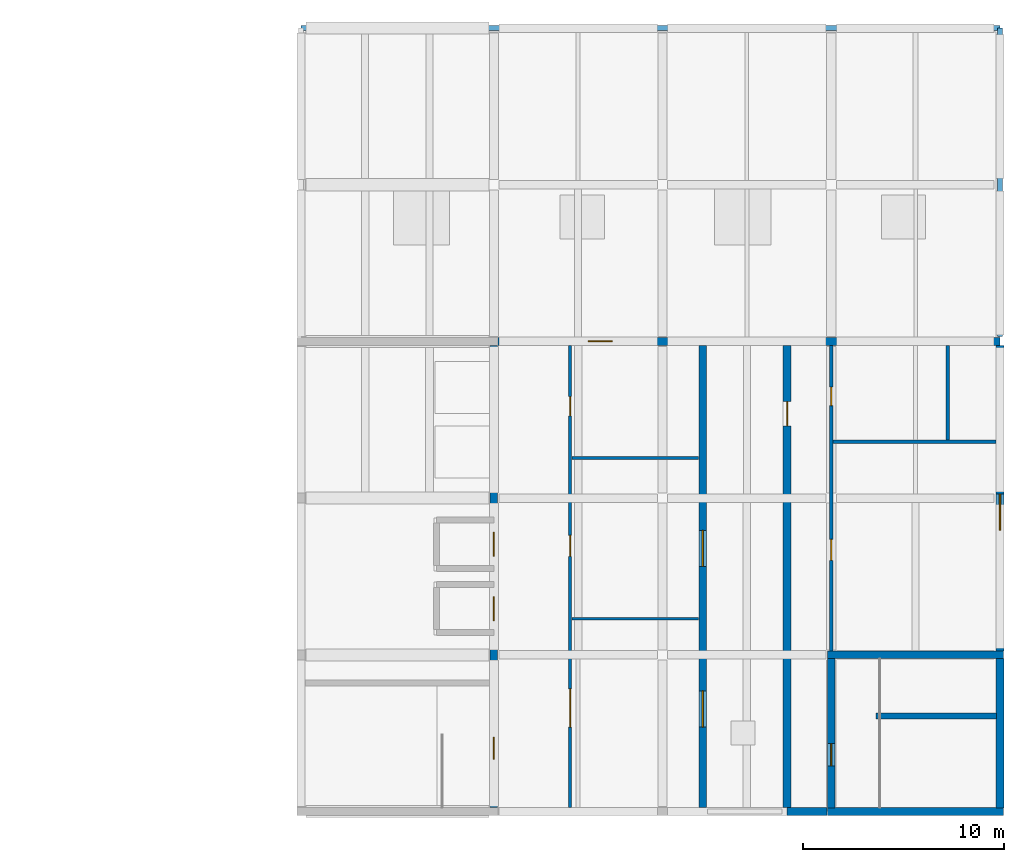
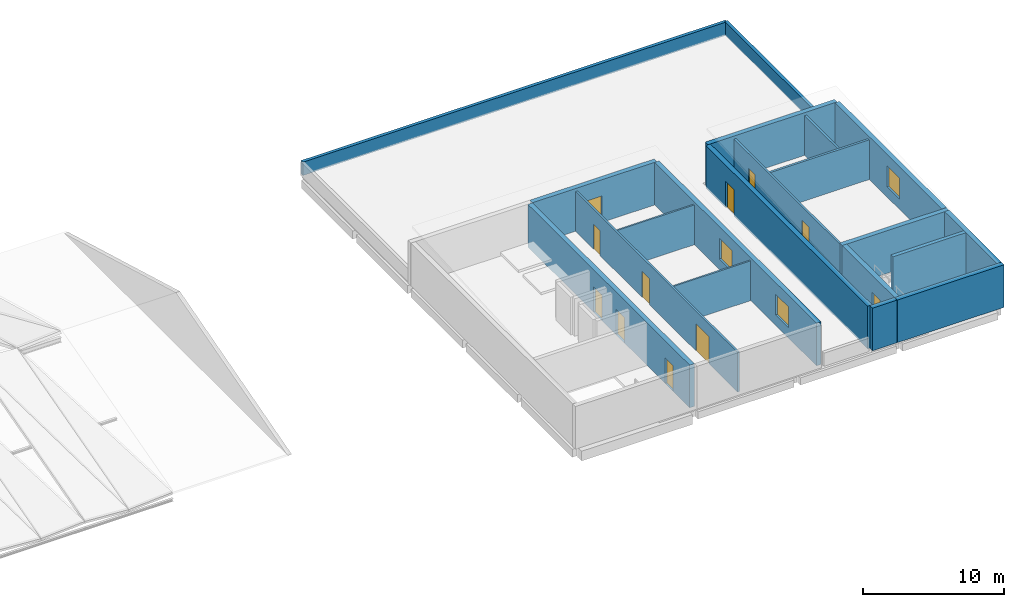
# One storey, part 4 of 6: 20 walls, 11 doors, 3 windows, 14 openings.
"""IFC4 building model written with IfcOpenShell, lengths in metres."""

import ifcopenshell
import ifcopenshell.guid

model = None  # the IFC model being written
_history = None  # IfcOwnerHistory: only IFC2X3 demands one
_inside = {}  # id of a spatial element -> (the spatial element, [elements in it])
_under = {}  # id of a project, library or spatial element -> (it, [spatial elements below it])
_declared = {}  # id of a project -> (the project, [libraries it declares])
_typed = {}  # id of a type object -> (the type object, [elements of that type])
_made_of = {}  # id of a material, layer set ... -> (it, [elements and type objects made of it])


def new_model(schema):
    """Start an empty IFC model of exactly this schema.

    Asked for "IFC4X3", IfcOpenShell would pick the latest addendum, in which some entities
    have other attributes; the version numbers below select the first issue.
    IFC2X3 requires an IfcOwnerHistory on every rooted entity: one is made here for all.
    """
    global model, _history
    if schema == "IFC4X3":
        model = ifcopenshell.file(schema_version=(4, 3, 0, 0))
    else:
        model = ifcopenshell.file(schema=schema)
    _inside.clear()
    _under.clear()
    _declared.clear()
    _typed.clear()
    _made_of.clear()
    _history = None
    if model.schema == "IFC2X3":
        org = make("IfcOrganization", Name="unknown")
        user = make(
            "IfcPersonAndOrganization",
            ThePerson=make("IfcPerson", FamilyName="unknown"),
            TheOrganization=org,
        )
        app = make(
            "IfcApplication",
            ApplicationDeveloper=org,
            Version="unknown",
            ApplicationFullName="unknown",
            ApplicationIdentifier="unknown",
        )
        _history = make(
            "IfcOwnerHistory",
            OwningUser=user,
            OwningApplication=app,
            ChangeAction="ADDED",
            CreationDate=0,
        )
    return model


def make(cls, **values):
    """One entity of the class cls with the attributes given. An attribute that is None is left unset."""
    return model.create_entity(
        cls, **{name: value for name, value in values.items() if value is not None}
    )


def rooted(cls, **values):
    """An entity with a GlobalId (a new one), such as an element, a storey or a relation."""
    return make(cls, GlobalId=ifcopenshell.guid.new(), OwnerHistory=_history, **values)


def si_unit(unit_type, name, prefix=None):
    """IfcSIUnit, for example si_unit("LENGTHUNIT", "METRE", prefix="MILLI")."""
    return make("IfcSIUnit", UnitType=unit_type, Prefix=prefix, Name=name)


def assignment(units):
    """IfcUnitAssignment: the units of a project."""
    return None if units is None else make("IfcUnitAssignment", Units=units)


def point(xyz):
    """IfcCartesianPoint."""
    return None if xyz is None else make("IfcCartesianPoint", Coordinates=xyz)


def direction(xyz):
    """IfcDirection."""
    return None if xyz is None else make("IfcDirection", DirectionRatios=xyz)


def frame(location, z_axis=None, x_axis=None):
    """IfcAxis2Placement3D, a coordinate frame: its origin and axes. An axis left out is left unset."""
    return make(
        "IfcAxis2Placement3D",
        Location=point(location),
        Axis=direction(z_axis),
        RefDirection=direction(x_axis),
    )


def frame_2d(location, x_axis=None):
    """IfcAxis2Placement2D, a coordinate frame in the plane: its origin and x axis."""
    return make(
        "IfcAxis2Placement2D", Location=point(location), RefDirection=direction(x_axis)
    )


def origin():
    """The frame at (0, 0, 0) with its axes left unset."""
    return frame((0.0, 0.0, 0.0))


def place(relative_to, where):
    """IfcLocalPlacement: puts the frame where relative to a parent placement (None: the world)."""
    return make(
        "IfcLocalPlacement", PlacementRelTo=relative_to, RelativePlacement=where
    )


def context(
    kind, dimensions, precision=None, world=None, true_north=None, identifier=None
):
    """IfcGeometricRepresentationContext, for example the 3D "Model" context."""
    return make(
        "IfcGeometricRepresentationContext",
        ContextIdentifier=identifier,
        ContextType=kind,
        CoordinateSpaceDimension=dimensions,
        Precision=precision,
        WorldCoordinateSystem=world,
        TrueNorth=true_north,
    )


def subcontext(parent, identifier, kind, view, scale=None):
    """IfcGeometricRepresentationSubContext, for example "Body" below "Model"."""
    return make(
        "IfcGeometricRepresentationSubContext",
        ContextIdentifier=identifier,
        ContextType=kind,
        ParentContext=parent,
        TargetScale=scale,
        TargetView=view,
    )


def project(units=None, contexts=None):
    """IfcProject with its units and contexts."""
    return rooted(
        "IfcProject",
        Name="project",
        RepresentationContexts=contexts,
        UnitsInContext=assignment(units),
    )


def spatial(cls, under=None, at=None, **own):
    """A site, building, storey or space (cls), placed at a placement, below another one or the project."""
    s = rooted(cls, ObjectPlacement=at, **own)
    if under is not None:
        _under.setdefault(under.id(), (under, []))[1].append(s)
    return s


def profile(cls, at=None, kind="AREA", **sizes):
    """A parametric profile (cls). Its sizes go by their IFC names, for example OverallWidth=200.0."""
    return make(cls, ProfileType=kind, Position=at, **sizes)


def rectangle(**sizes):
    """IfcRectangleProfileDef."""
    return profile("IfcRectangleProfileDef", **sizes)


def extrude(swept, where, along, depth):
    """IfcExtrudedAreaSolid: the profile swept, set in the frame where, extruded along a direction by depth."""
    return make(
        "IfcExtrudedAreaSolid",
        SweptArea=swept,
        Position=where,
        ExtrudedDirection=direction(along),
        Depth=depth,
    )


def shape(context_of_items, identifier, shape_type, items):
    """IfcShapeRepresentation: the items that make up one representation, for example the "Body"."""
    return make(
        "IfcShapeRepresentation",
        ContextOfItems=context_of_items,
        RepresentationIdentifier=identifier,
        RepresentationType=shape_type,
        Items=items,
    )


def material(Name=None, Category=None):
    """IfcMaterial."""
    return make("IfcMaterial", Name=Name, Category=Category)


def layer(
    of_material, thickness, ventilated=None, Name=None, Category=None, Priority=None
):
    """IfcMaterialLayer: one layer of a wall or slab, of a material (None: an air gap)."""
    return make(
        "IfcMaterialLayer",
        Material=of_material,
        LayerThickness=thickness,
        IsVentilated=ventilated,
        Name=Name,
        Category=Category,
        Priority=Priority,
    )


def layer_set(layers, Name=None):
    """IfcMaterialLayerSet."""
    return make("IfcMaterialLayerSet", MaterialLayers=layers, LayerSetName=Name)


def made_of(thing, what):
    """Note that an element or type object is made of a material, layer set ...; save() writes the relation."""
    if what is not None:
        _made_of.setdefault(what.id(), (what, []))[1].append(thing)
    return thing


def type_object(cls, material=None, **own):
    """A type object (cls), such as IfcWallType, which elements share."""
    return made_of(rooted(cls, **own), material)


def element(
    cls,
    number,
    at=None,
    inside=None,
    cuts=None,
    type_object=None,
    material=None,
    context=None,
    identifier="Body",
    shape_type=None,
    held_by="IfcProductDefinitionShape",
    body=None,
    shapes=None,
    **own,
):
    """One element of the class cls, such as IfcWall. Its Tag is "e" and its number.

    at: its placement. inside: the storey or other place that contains it. cuts: it is an
    opening in that element (IfcRelVoidsElement). A single representation is given by context,
    identifier, shape_type and body (its items); several are given by shapes. held_by: the class
    of the entity that holds the representations. save() writes the other relations.
    """
    e = rooted(cls, Tag="e%d" % number, ObjectPlacement=at, **own)
    if body is not None:
        shapes = [shape(context, identifier, shape_type, body)]
    if shapes is not None:
        e.Representation = make(held_by, Representations=shapes)
    if inside is not None:
        _inside.setdefault(inside.id(), (inside, []))[1].append(e)
    if cuts is not None:
        rooted(
            "IfcRelVoidsElement", RelatingBuildingElement=cuts, RelatedOpeningElement=e
        )
    if type_object is not None:
        _typed.setdefault(type_object.id(), (type_object, []))[1].append(e)
    return made_of(e, material)


def fill(opening, filler):
    """IfcRelFillsElement: the door or window that sits in an opening."""
    return rooted(
        "IfcRelFillsElement",
        RelatingOpeningElement=opening,
        RelatedBuildingElement=filler,
    )


def aggregate(whole, parts):
    """IfcRelAggregates: a whole, such as a stair, and the parts it consists of."""
    return rooted("IfcRelAggregates", RelatingObject=whole, RelatedObjects=parts)


def save(model, path):
    """Write the relations noted so far, then the file.

    IfcRelAggregates (storeys below a building ...), IfcRelContainedInSpatialStructure (elements
    in a storey), IfcRelDefinesByType, IfcRelAssociatesMaterial and IfcRelDeclares: one each for
    every whole, place, type object, material and project.
    """
    for whole, parts in _under.values():
        aggregate(whole, parts)
    for where, things in _inside.values():
        rooted(
            "IfcRelContainedInSpatialStructure",
            RelatedElements=things,
            RelatingStructure=where,
        )
    for kind, things in _typed.values():
        rooted("IfcRelDefinesByType", RelatedObjects=things, RelatingType=kind)
    for what, things in _made_of.values():
        rooted("IfcRelAssociatesMaterial", RelatedObjects=things, RelatingMaterial=what)
    for by, libraries in _declared.values():
        rooted("IfcRelDeclares", RelatingContext=by, RelatedDefinitions=libraries)
    model.write(path)


model = new_model("IFC4")

# Units and contexts
model_context = context("Model", 3, precision=1e-05, world=origin(), true_north=direction((0.0, 1.0)))
body_context = subcontext(model_context, "Body", "Model", "MODEL_VIEW")
ifc_project = project(units=[si_unit("LENGTHUNIT", "METRE"), si_unit("AREAUNIT", "SQUARE_METRE"), si_unit("VOLUMEUNIT", "CUBIC_METRE"), si_unit("PLANEANGLEUNIT", "RADIAN"), si_unit("MASSUNIT", "GRAM", prefix="KILO")], contexts=[model_context])

# Site, building, storey
site_placement = place(None, origin())
site = spatial("IfcSite", under=ifc_project, at=site_placement, CompositionType="ELEMENT")
building_placement = place(site_placement, origin())
building = spatial("IfcBuilding", under=site, at=building_placement, Name="Pellamere Symphony Hall", CompositionType="ELEMENT")
storey_placement = place(building_placement, frame((0.0, 0.0, 28.5)))
storey = spatial("IfcBuildingStorey", under=building, at=storey_placement, Name="RF", CompositionType="ELEMENT", Elevation=28.5)

# Walls
ifc_material_1 = material(Name="Precast concrete 40 MPa", Category="concrete")
ifc_layer_1 = layer(ifc_material_1, 0.260009765625, Name="Precast concrete 40 MPa")
ifc_layer_set_1 = layer_set([ifc_layer_1], Name="Precast concrete 40 MPa")
wall_type_1 = type_object("IfcWallType", Name="Exterior Wall EW-05 260mm", PredefinedType="PARAPET", material=ifc_layer_set_1)
wall_1_placement = place(storey_placement, frame((172.800048828125, 62.050048828125, 0.0), z_axis=(0.0, 0.0, 1.0), x_axis=(0.0, 1.0, 0.0)))
element("IfcWall", 1, at=wall_1_placement, inside=storey, type_object=wall_type_1, Name="Maintenance Roof Parapet 02 (RF)", PredefinedType="PARAPET", context=body_context, shape_type="SweptSolid", body=[
    extrude(rectangle(XDim=15.349853515625, YDim=0.260009765625, at=frame_2d((7.6748046875, 0.0))), origin(), (0.0, 0.0, 1.0), 1.14990234375),
])
wall_2_placement = place(storey_placement, frame((172.800048828125, 77.39990234375, 0.0), z_axis=(0.0, 0.0, 1.0), x_axis=(-1.0, 0.0, 0.0)))
element("IfcWall", 2, at=wall_2_placement, inside=storey, type_object=wall_type_1, Name="Maintenance Roof Parapet 03 (RF)", PredefinedType="PARAPET", context=body_context, shape_type="SweptSolid", body=[
    extrude(rectangle(XDim=34.800048828125, YDim=0.260009765625, at=frame_2d((17.39990234375, 0.0))), origin(), (0.0, 0.0, 1.0), 1.14990234375),
])

# Wall, openings, doors
ifc_material_2 = material(Name="Practice Room STC-55 Isolated Stud Partition", Category="gypsum")
ifc_layer_2 = layer(ifc_material_2, 0.159912109375, Name="Practice Room STC-55 Isolated Stud Partition")
ifc_layer_set_2 = layer_set([ifc_layer_2], Name="Practice Room STC-55 Isolated Stud Partition")
wall_type_2 = type_object("IfcWallType", Name="Interior Partition IW-03 160mm", PredefinedType="PARTITIONING", material=ifc_layer_set_2)
wall_3_placement = place(storey_placement, frame((151.39990234375, 38.60009765625, 0.0), z_axis=(0.0, 0.0, 1.0), x_axis=(0.0, 1.0, 0.0)))
wall_3 = element("IfcWall", 3, at=wall_3_placement, inside=storey, type_object=wall_type_2, Name="Interior Partition IW-03-113 (RF)", PredefinedType="PARTITIONING", context=body_context, shape_type="SweptSolid", body=[
    extrude(rectangle(XDim=23.0, YDim=0.159912109375, at=frame_2d((11.5, 0.0))), origin(), (0.0, 0.0, 1.0), 3.449951171875),
])
opening_1_placement = place(wall_3_placement, frame((4.0, 0.0, 0.0)))
opening_1 = element("IfcOpeningElement", 4, at=opening_1_placement, cuts=wall_3, Name="Opening ID-GL1-070", PredefinedType="OPENING", context=body_context, shape_type="SweptSolid", body=[
    extrude(rectangle(XDim=1.89990234375, YDim=2.35009765625, at=frame_2d((0.949951171875, 1.175048828125))), frame((0.0, 0.08984375, 0.0), z_axis=(0.0, -1.0, 0.0), x_axis=(1.0, 0.0, 0.0)), (0.0, 0.0, 1.0), 0.179931640625),
])
opening_2_placement = place(wall_3_placement, frame((12.5, 0.0, 0.0)))
opening_2 = element("IfcOpeningElement", 5, at=opening_2_placement, cuts=wall_3, Name="Opening ID-AD2-071", PredefinedType="OPENING", context=body_context, shape_type="SweptSolid", body=[
    extrude(rectangle(XDim=1.050048828125, YDim=2.25, at=frame_2d((0.52490234375, 1.125))), frame((0.0, 0.08984375, 0.0), z_axis=(0.0, -1.0, 0.0), x_axis=(1.0, 0.0, 0.0)), (0.0, 0.0, 1.0), 0.179931640625),
])
opening_3_placement = place(wall_3_placement, frame((19.5, 0.0, 0.0)))
opening_3 = element("IfcOpeningElement", 6, at=opening_3_placement, cuts=wall_3, Name="Opening ID-RM1-072", PredefinedType="OPENING", context=body_context, shape_type="SweptSolid", body=[
    extrude(rectangle(XDim=0.949951171875, YDim=2.14990234375, at=frame_2d((0.47509765625, 1.074951171875))), frame((0.0, 0.08984375, 0.0), z_axis=(0.0, -1.0, 0.0), x_axis=(1.0, 0.0, 0.0)), (0.0, 0.0, 1.0), 0.179931640625),
])
ifc_material_3 = material(Name="STC-50 Oak Acoustic Studio Door", Category="wood")
door_type_1 = type_object("IfcDoorType", Name="Interior Door ID-AD2 1050x2250", OperationType="NOTDEFINED", PredefinedType="DOOR", material=ifc_material_3)
door_1_placement = place(opening_2_placement, origin())
door_1 = element("IfcDoor", 7, at=door_1_placement, inside=storey, type_object=door_type_1, Name="Acoustics Research Lab Door", OperationType="SINGLE_SWING_LEFT", OverallHeight=2.25, OverallWidth=1.050048828125, PredefinedType="DOOR", context=body_context, shape_type="SweptSolid", body=[
    extrude(rectangle(XDim=1.050048828125, YDim=2.25, at=frame_2d((0.52490234375, 1.125))), frame((0.0, 0.02490234375, 0.0), z_axis=(0.0, -1.0, 0.0), x_axis=(1.0, 0.0, 0.0)), (0.0, 0.0, 1.0), 0.050048828125),
])
fill(opening_2, door_1)
ifc_material_4 = material(Name="Laminated Acoustic Glass Lounge Sliding Door", Category="glass")
door_type_2 = type_object("IfcDoorType", Name="Interior Door ID-GL1 1900x2350", OperationType="NOTDEFINED", PredefinedType="DOOR", material=ifc_material_4)
door_2_placement = place(opening_1_placement, origin())
door_2 = element("IfcDoor", 8, at=door_2_placement, inside=storey, type_object=door_type_2, Name="Sky Observatory Gallery Portal", OperationType="SLIDING_TO_RIGHT", OverallHeight=2.35009765625, OverallWidth=1.89990234375, PredefinedType="DOOR", context=body_context, shape_type="SweptSolid", body=[
    extrude(rectangle(XDim=1.89990234375, YDim=2.35009765625, at=frame_2d((0.949951171875, 1.175048828125))), frame((0.0, 0.02490234375, 0.0), z_axis=(0.0, -1.0, 0.0), x_axis=(1.0, 0.0, 0.0)), (0.0, 0.0, 1.0), 0.050048828125),
])
fill(opening_1, door_2)
ifc_material_5 = material(Name="Solid-Core White Oak Room Door", Category="wood")
door_type_3 = type_object("IfcDoorType", Name="Interior Door ID-RM1 950x2150", OperationType="NOTDEFINED", PredefinedType="DOOR", material=ifc_material_5)
door_3_placement = place(opening_3_placement, origin())
door_3 = element("IfcDoor", 9, at=door_3_placement, inside=storey, type_object=door_type_3, Name="Facilities Engineering Office Door", OperationType="SINGLE_SWING_RIGHT", OverallHeight=2.14990234375, OverallWidth=0.949951171875, PredefinedType="DOOR", context=body_context, shape_type="SweptSolid", body=[
    extrude(rectangle(XDim=0.949951171875, YDim=2.14990234375, at=frame_2d((0.47509765625, 1.074951171875))), frame((0.0, 0.02490234375, 0.0), z_axis=(0.0, -1.0, 0.0), x_axis=(1.0, 0.0, 0.0)), (0.0, 0.0, 1.0), 0.050048828125),
])
fill(opening_3, door_3)

wall_4_placement = place(storey_placement, frame((164.39990234375, 46.39990234375, 0.0), z_axis=(0.0, 0.0, 1.0), x_axis=(0.0, 1.0, 0.0)))
wall_4 = element("IfcWall", 10, at=wall_4_placement, inside=storey, type_object=wall_type_2, Name="Interior Partition IW-03-116 (RF)", PredefinedType="PARTITIONING", context=body_context, shape_type="SweptSolid", body=[
    extrude(rectangle(XDim=15.2001953125, YDim=0.159912109375, at=frame_2d((7.60009765625, 0.0))), origin(), (0.0, 0.0, 1.0), 3.449951171875),
])
opening_4_placement = place(wall_4_placement, frame((4.5, 0.0, 0.0)))
opening_4 = element("IfcOpeningElement", 11, at=opening_4_placement, cuts=wall_4, Name="Opening ID-AD2-073", PredefinedType="OPENING", context=body_context, shape_type="SweptSolid", body=[
    extrude(rectangle(XDim=1.050048828125, YDim=2.25, at=frame_2d((0.52490234375, 1.125))), frame((0.0, 0.08984375, 0.0), z_axis=(0.0, -1.0, 0.0), x_axis=(1.0, 0.0, 0.0)), (0.0, 0.0, 1.0), 0.179931640625),
])
opening_5_placement = place(wall_4_placement, frame((12.199951171875, 0.0, 0.0)))
opening_5 = element("IfcOpeningElement", 12, at=opening_5_placement, cuts=wall_4, Name="Opening ID-WC1-074", PredefinedType="OPENING", context=body_context, shape_type="SweptSolid", body=[
    extrude(rectangle(XDim=0.919921875, YDim=2.14990234375, at=frame_2d((0.4599609375, 1.074951171875))), frame((0.0, 0.08984375, 0.0), z_axis=(0.0, -1.0, 0.0), x_axis=(1.0, 0.0, 0.0)), (0.0, 0.0, 1.0), 0.179931640625),
])
door_4_placement = place(opening_4_placement, origin())
door_4 = element("IfcDoor", 13, at=door_4_placement, inside=storey, type_object=door_type_1, Name="Horticulture Classroom Studio Door", OperationType="SINGLE_SWING_LEFT", OverallHeight=2.25, OverallWidth=1.050048828125, PredefinedType="DOOR", context=body_context, shape_type="SweptSolid", body=[
    extrude(rectangle(XDim=1.050048828125, YDim=2.25, at=frame_2d((0.52490234375, 1.125))), frame((0.0, 0.02490234375, 0.0), z_axis=(0.0, -1.0, 0.0), x_axis=(1.0, 0.0, 0.0)), (0.0, 0.0, 1.0), 0.050048828125),
])
fill(opening_4, door_4)
ifc_material_6 = material(Name="Accessible Washroom Privacy Door", Category="wood")
door_type_4 = type_object("IfcDoorType", Name="Interior Door ID-WC1 920x2150", OperationType="NOTDEFINED", PredefinedType="DOOR", material=ifc_material_6)
door_5_placement = place(opening_5_placement, origin())
door_5 = element("IfcDoor", 14, at=door_5_placement, inside=storey, type_object=door_type_4, Name="Rooftop Accessible WC Door", OperationType="SINGLE_SWING_RIGHT", OverallHeight=2.14990234375, OverallWidth=0.919921875, PredefinedType="DOOR", context=body_context, shape_type="SweptSolid", body=[
    extrude(rectangle(XDim=0.919921875, YDim=2.14990234375, at=frame_2d((0.4599609375, 1.074951171875))), frame((0.0, 0.02490234375, 0.0), z_axis=(0.0, -1.0, 0.0), x_axis=(1.0, 0.0, 0.0)), (0.0, 0.0, 1.0), 0.050048828125),
])
fill(opening_5, door_5)

# Walls
ifc_material_7 = material(Name="Interior Metal-Stud Gypsum Partition", Category="gypsum")
ifc_layer_3 = layer(ifc_material_7, 0.1298828125, Name="Interior Metal-Stud Gypsum Partition")
ifc_layer_set_3 = layer_set([ifc_layer_3], Name="Interior Metal-Stud Gypsum Partition")
wall_type_3 = type_object("IfcWallType", Name="Interior Partition IW-04 130mm", PredefinedType="PARTITIONING", material=ifc_layer_set_3)
for number, where, z_axis, x_axis, name in (
    (15, (151.489990234375, 48.0, 0.0), (0.0, 0.0, 1.0), (1.0, 0.0, 0.0), "Interior Partition IW-04-114 (RF)"),
    (16, (151.489990234375, 56.0, 0.0), (0.0, 0.0, 1.0), (1.0, 0.0, 0.0), "Interior Partition IW-04-115 (RF)"),
):
    element("IfcWall", number, at=place(storey_placement, frame(where, z_axis=z_axis, x_axis=x_axis)), inside=storey, type_object=wall_type_3, Name=name, PredefinedType="PARTITIONING", context=body_context, shape_type="SweptSolid", body=[
        extrude(rectangle(XDim=6.31005859375, YDim=0.1298828125, at=frame_2d((3.155029296875, 0.0))), origin(), (0.0, 0.0, 1.0), 3.449951171875),
    ])
ifc_material_8 = material(Name="Moisture-Resistant Ceramic-Tiled Washroom Wall", Category="gypsum")
ifc_layer_4 = layer(ifc_material_8, 0.179931640625, Name="Moisture-Resistant Ceramic-Tiled Washroom Wall")
ifc_layer_set_4 = layer_set([ifc_layer_4], Name="Moisture-Resistant Ceramic-Tiled Washroom Wall")
wall_type_4 = type_object("IfcWallType", Name="Interior Partition IW-06 180mm", PredefinedType="PARTITIONING", material=ifc_layer_set_4)
wall_5_placement = place(storey_placement, frame((164.489990234375, 56.800048828125, 0.0), z_axis=(0.0, 0.0, 1.0), x_axis=(1.0, 0.0, 0.0)))
element("IfcWall", 17, at=wall_5_placement, inside=storey, type_object=wall_type_4, Name="Interior Partition IW-06-117 (RF)", PredefinedType="PARTITIONING", context=body_context, shape_type="SweptSolid", body=[
    extrude(rectangle(XDim=8.110107421875, YDim=0.179931640625, at=frame_2d((4.05517578125, 0.0))), origin(), (0.0, 0.0, 1.0), 3.449951171875),
])
wall_6_placement = place(storey_placement, frame((170.199951171875, 56.89990234375, 0.0), z_axis=(0.0, 0.0, 1.0), x_axis=(0.0, 1.0, 0.0)))
element("IfcWall", 18, at=wall_6_placement, inside=storey, type_object=wall_type_4, Name="Interior Partition IW-06-118 (RF)", PredefinedType="PARTITIONING", context=body_context, shape_type="SweptSolid", body=[
    extrude(rectangle(XDim=4.7001953125, YDim=0.179931640625, at=frame_2d((2.35009765625, 0.0))), origin(), (0.0, 0.0, 1.0), 3.449951171875),
])
ifc_material_9 = material(Name="Concrete 40 MPa", Category="concrete")
ifc_layer_5 = layer(ifc_material_9, 0.300048828125, Name="Concrete 40 MPa")
ifc_layer_set_5 = layer_set([ifc_layer_5], Name="Concrete 40 MPa")
wall_type_5 = type_object("IfcWallType", Name="Structural Wall SW-04 300mm", PredefinedType="SHEAR", material=ifc_layer_set_5)
wall_7_placement = place(storey_placement, frame((166.625, 43.14990234375, 0.0), z_axis=(0.0, 0.0, 1.0), x_axis=(1.0, 0.0, 0.0)))
element("IfcWall", 19, at=wall_7_placement, inside=storey, type_object=wall_type_5, Name="Stair ST06 Discharge Divider Wall (RF)", PredefinedType="SHEAR", context=body_context, shape_type="SweptSolid", body=[
    extrude(rectangle(XDim=5.9951171875, YDim=0.300048828125, at=frame_2d((2.99755859375, 0.0))), origin(), (0.0, 0.0, 1.0), 3.699951171875),
])

# Wall, openings, doors
ifc_layer_6 = layer(ifc_material_9, 0.3798828125, Name="Concrete 40 MPa")
ifc_layer_set_6 = layer_set([ifc_layer_6], Name="Concrete 40 MPa")
wall_type_6 = type_object("IfcWallType", Name="Structural Wall SW-07 380mm", PredefinedType="SHEAR", material=ifc_layer_set_6)
wall_8_placement = place(storey_placement, frame((147.60009765625, 38.60009765625, 0.0), z_axis=(0.0, 0.0, 1.0), x_axis=(0.0, 1.0, 0.0)))
wall_8 = element("IfcWall", 20, at=wall_8_placement, inside=storey, type_object=wall_type_6, Name="Core Shear Wall C2 E (RF)", PredefinedType="SHEAR", context=body_context, shape_type="SweptSolid", body=[
    extrude(rectangle(XDim=23.0, YDim=0.3798828125, at=frame_2d((11.5, 0.0))), origin(), (0.0, 0.0, 1.0), 3.699951171875),
])
opening_6_placement = place(wall_8_placement, frame((9.300048828125, 0.0, 0.0)))
opening_6 = element("IfcOpeningElement", 21, at=opening_6_placement, cuts=wall_8, Name="Opening LD-20", PredefinedType="OPENING", context=body_context, shape_type="SweptSolid", body=[
    extrude(rectangle(XDim=1.199951171875, YDim=2.199951171875, at=frame_2d((0.60009765625, 1.10009765625))), frame((0.0, 0.199951171875, 0.0), z_axis=(0.0, -1.0, 0.0), x_axis=(1.0, 0.0, 0.0)), (0.0, 0.0, 1.0), 0.39990234375),
])
opening_7_placement = place(wall_8_placement, frame((12.5, 0.0, 0.0)))
opening_7 = element("IfcOpeningElement", 22, at=opening_7_placement, cuts=wall_8, Name="Opening LD-28", PredefinedType="OPENING", context=body_context, shape_type="SweptSolid", body=[
    extrude(rectangle(XDim=1.199951171875, YDim=2.199951171875, at=frame_2d((0.60009765625, 1.10009765625))), frame((0.0, 0.199951171875, 0.0), z_axis=(0.0, -1.0, 0.0), x_axis=(1.0, 0.0, 0.0)), (0.0, 0.0, 1.0), 0.39990234375),
])
opening_8_placement = place(wall_8_placement, frame((2.39990234375, 0.0, 0.0)))
opening_8 = element("IfcOpeningElement", 23, at=opening_8_placement, cuts=wall_8, Name="Opening SD-14", PredefinedType="OPENING", context=body_context, shape_type="SweptSolid", body=[
    extrude(rectangle(XDim=1.10009765625, YDim=2.199951171875, at=frame_2d((0.550048828125, 1.10009765625))), frame((0.0, 0.199951171875, 0.0), z_axis=(0.0, -1.0, 0.0), x_axis=(1.0, 0.0, 0.0)), (0.0, 0.0, 1.0), 0.39990234375),
])
ifc_material_10 = material(Name="Stainless Steel AISI 316 Elevator Landing Door", Category="steel")
door_type_5 = type_object("IfcDoorType", Name="Interior Door ID-LD1 1200x2200", OperationType="NOTDEFINED", PredefinedType="DOOR", material=ifc_material_10)
door_6_placement = place(opening_6_placement, origin())
door_6 = element("IfcDoor", 24, at=door_6_placement, inside=storey, type_object=door_type_5, Name="Elevator FFL1 Sliding Landing Door (RF)", OperationType="SLIDING_TO_RIGHT", OverallHeight=2.199951171875, OverallWidth=1.199951171875, PredefinedType="DOOR", context=body_context, shape_type="SweptSolid", body=[
    extrude(rectangle(XDim=1.199951171875, YDim=2.199951171875, at=frame_2d((0.60009765625, 1.10009765625))), frame((0.0, 0.02490234375, 0.0), z_axis=(0.0, -1.0, 0.0), x_axis=(1.0, 0.0, 0.0)), (0.0, 0.0, 1.0), 0.050048828125),
])
fill(opening_6, door_6)
door_7_placement = place(opening_7_placement, origin())
door_7 = element("IfcDoor", 25, at=door_7_placement, inside=storey, type_object=door_type_5, Name="Elevator FFL2 Sliding Landing Door (RF)", OperationType="SLIDING_TO_RIGHT", OverallHeight=2.199951171875, OverallWidth=1.199951171875, PredefinedType="DOOR", context=body_context, shape_type="SweptSolid", body=[
    extrude(rectangle(XDim=1.199951171875, YDim=2.199951171875, at=frame_2d((0.60009765625, 1.10009765625))), frame((0.0, 0.02490234375, 0.0), z_axis=(0.0, -1.0, 0.0), x_axis=(1.0, 0.0, 0.0)), (0.0, 0.0, 1.0), 0.050048828125),
])
fill(opening_7, door_7)
ifc_material_11 = material(Name="Fire-Rated Steel Exit Stair Door", Category="steel")
door_type_6 = type_object("IfcDoorType", Name="Interior Door ID-SD1 1100x2200", OperationType="NOTDEFINED", PredefinedType="DOOR", material=ifc_material_11)
door_8_placement = place(opening_8_placement, origin())
door_8 = element("IfcDoor", 26, at=door_8_placement, inside=storey, type_object=door_type_6, Name="Core C2 Exit Stair Door (RF)", OperationType="SINGLE_SWING_RIGHT", OverallHeight=2.199951171875, OverallWidth=1.10009765625, PredefinedType="DOOR", context=body_context, shape_type="SweptSolid", body=[
    extrude(rectangle(XDim=1.10009765625, YDim=2.199951171875, at=frame_2d((0.550048828125, 1.10009765625))), frame((0.0, 0.02490234375, 0.0), z_axis=(0.0, -1.0, 0.0), x_axis=(1.0, 0.0, 0.0)), (0.0, 0.0, 1.0), 0.050048828125),
])
fill(opening_8, door_8)

# Walls
for number, where, z_axis, x_axis, name in (
    (27, (164.22509765625, 38.39990234375, 0.0), (0.0, 0.0, 1.0), (1.0, 0.0, 0.0), "Stair ST06 Enclosure Wall S (RF)"),
    (28, (164.22509765625, 46.199951171875, 0.0), (0.0, 0.0, 1.0), (1.0, 0.0, 0.0), "Stair ST06 Enclosure Wall N (RF)"),
):
    element("IfcWall", number, at=place(storey_placement, frame(where, z_axis=z_axis, x_axis=x_axis)), inside=storey, type_object=wall_type_6, Name=name, PredefinedType="SHEAR", context=body_context, shape_type="SweptSolid", body=[
        extrude(rectangle(XDim=8.75, YDim=0.3798828125, at=frame_2d((4.375, 0.0))), origin(), (0.0, 0.0, 1.0), 3.699951171875),
    ])

# Wall, opening, door
wall_9_placement = place(storey_placement, frame((164.39990234375, 38.574951171875, 0.0), z_axis=(0.0, 0.0, 1.0), x_axis=(0.0, 1.0, 0.0)))
wall_9 = element("IfcWall", 29, at=wall_9_placement, inside=storey, type_object=wall_type_6, Name="Stair ST06 Enclosure Wall W (RF)", PredefinedType="SHEAR", context=body_context, shape_type="SweptSolid", body=[
    extrude(rectangle(XDim=7.449951171875, YDim=0.3798828125, at=frame_2d((3.72509765625, 0.0))), origin(), (0.0, 0.0, 1.0), 3.699951171875),
])
opening_9_placement = place(wall_9_placement, frame((2.10009765625, 0.0, 0.0)))
opening_9 = element("IfcOpeningElement", 30, at=opening_9_placement, cuts=wall_9, Name="Opening SD-36", PredefinedType="OPENING", context=body_context, shape_type="SweptSolid", body=[
    extrude(rectangle(XDim=1.10009765625, YDim=2.199951171875, at=frame_2d((0.550048828125, 1.10009765625))), frame((0.0, 0.199951171875, 0.0), z_axis=(0.0, -1.0, 0.0), x_axis=(1.0, 0.0, 0.0)), (0.0, 0.0, 1.0), 0.39990234375),
])
door_9_placement = place(opening_9_placement, frame((1.10009765625, 0.0, 0.0), z_axis=(0.0, 0.0, 1.0), x_axis=(-1.0, 0.0, 0.0)))
door_9 = element("IfcDoor", 31, at=door_9_placement, inside=storey, type_object=door_type_6, Name="Exit Stair ST06 Door (RF)", OperationType="SINGLE_SWING_RIGHT", OverallHeight=2.199951171875, OverallWidth=1.10009765625, PredefinedType="DOOR", context=body_context, shape_type="SweptSolid", body=[
    extrude(rectangle(XDim=1.10009765625, YDim=2.199951171875, at=frame_2d((0.550048828125, 1.10009765625))), frame((0.0, 0.02490234375, 0.0), z_axis=(0.0, -1.0, 0.0), x_axis=(1.0, 0.0, 0.0)), (0.0, 0.0, 1.0), 0.050048828125),
])
fill(opening_9, door_9)

# Wall
wall_10_placement = place(storey_placement, frame((172.800048828125, 38.574951171875, 0.0), z_axis=(0.0, 0.0, 1.0), x_axis=(0.0, 1.0, 0.0)))
element("IfcWall", 32, at=wall_10_placement, inside=storey, type_object=wall_type_6, Name="Stair ST06 Enclosure Wall E (RF)", PredefinedType="SHEAR", context=body_context, shape_type="SweptSolid", body=[
    extrude(rectangle(XDim=7.449951171875, YDim=0.3798828125, at=frame_2d((3.72509765625, 0.0))), origin(), (0.0, 0.0, 1.0), 3.699951171875),
])

# Wall, openings, windows
wall_11_placement = place(storey_placement, frame((158.0, 38.60009765625, 0.0), z_axis=(0.0, 0.0, 1.0), x_axis=(0.0, 1.0, 0.0)))
wall_11 = element("IfcWall", 33, at=wall_11_placement, inside=storey, type_object=wall_type_6, Name="Rooftop Observatory Enclosure Wall HD1-2", PredefinedType="SHEAR", context=body_context, shape_type="SweptSolid", body=[
    extrude(rectangle(XDim=23.0, YDim=0.3798828125, at=frame_2d((11.5, 0.0))), origin(), (0.0, 0.0, 1.0), 3.699951171875),
])
opening_10_placement = place(wall_11_placement, frame((4.0, 0.0, 0.89990234375)))
opening_10 = element("IfcOpeningElement", 34, at=opening_10_placement, cuts=wall_11, Name="Opening W801", PredefinedType="OPENING", context=body_context, shape_type="SweptSolid", body=[
    extrude(rectangle(XDim=1.800048828125, YDim=1.800048828125, at=frame_2d((0.89990234375, 0.89990234375))), frame((0.0, 0.199951171875, 0.0), z_axis=(0.0, -1.0, 0.0), x_axis=(1.0, 0.0, 0.0)), (0.0, 0.0, 1.0), 0.39990234375),
])
opening_11_placement = place(wall_11_placement, frame((12.0, 0.0, 0.89990234375)))
opening_11 = element("IfcOpeningElement", 35, at=opening_11_placement, cuts=wall_11, Name="Opening W802", PredefinedType="OPENING", context=body_context, shape_type="SweptSolid", body=[
    extrude(rectangle(XDim=1.800048828125, YDim=1.800048828125, at=frame_2d((0.89990234375, 0.89990234375))), frame((0.0, 0.199951171875, 0.0), z_axis=(0.0, -1.0, 0.0), x_axis=(1.0, 0.0, 0.0)), (0.0, 0.0, 1.0), 0.39990234375),
])
ifc_material_12 = material(Name="Thermally Broken Aluminium Triple-Glazed Acoustic Window", Category="aluminium")
window_type = type_object("IfcWindowType", Name="Window WN-03 1800x1800", PartitioningType="DOUBLE_PANEL_VERTICAL", PredefinedType="WINDOW", material=ifc_material_12)
window_1_placement = place(opening_10_placement, origin())
window_1 = element("IfcWindow", 36, at=window_1_placement, inside=storey, type_object=window_type, Name="Rooftop Observatory Window W801 (RF)", OverallHeight=1.800048828125, OverallWidth=1.800048828125, PartitioningType="SINGLE_PANEL", PredefinedType="WINDOW", context=body_context, shape_type="SweptSolid", body=[
    extrude(rectangle(XDim=1.800048828125, YDim=1.800048828125, at=frame_2d((0.89990234375, 0.89990234375))), frame((0.0, 0.030029296875, 0.0), z_axis=(0.0, -1.0, 0.0), x_axis=(1.0, 0.0, 0.0)), (0.0, 0.0, 1.0), 0.06005859375),
])
fill(opening_10, window_1)
window_2_placement = place(opening_11_placement, origin())
window_2 = element("IfcWindow", 37, at=window_2_placement, inside=storey, type_object=window_type, Name="Rooftop Observatory Window W802 (RF)", OverallHeight=1.800048828125, OverallWidth=1.800048828125, PartitioningType="SINGLE_PANEL", PredefinedType="WINDOW", context=body_context, shape_type="SweptSolid", body=[
    extrude(rectangle(XDim=1.800048828125, YDim=1.800048828125, at=frame_2d((0.89990234375, 0.89990234375))), frame((0.0, 0.030029296875, 0.0), z_axis=(0.0, -1.0, 0.0), x_axis=(1.0, 0.0, 0.0)), (0.0, 0.0, 1.0), 0.06005859375),
])
fill(opening_11, window_2)

# Wall, opening, door
wall_12_placement = place(storey_placement, frame((158.0, 61.800048828125, 0.0), z_axis=(0.0, 0.0, 1.0), x_axis=(-1.0, 0.0, 0.0)))
wall_12 = element("IfcWall", 38, at=wall_12_placement, inside=storey, type_object=wall_type_6, Name="Rooftop Observatory Enclosure Wall HD1-3", PredefinedType="SHEAR", context=body_context, shape_type="SweptSolid", body=[
    extrude(rectangle(XDim=10.199951171875, YDim=0.3798828125, at=frame_2d((5.10009765625, 0.0))), origin(), (0.0, 0.0, 1.0), 3.699951171875),
])
opening_12_placement = place(wall_12_placement, frame((4.5, 0.0, 0.0)))
opening_12 = element("IfcOpeningElement", 39, at=opening_12_placement, cuts=wall_12, Name="Opening E38", PredefinedType="OPENING", context=body_context, shape_type="SweptSolid", body=[
    extrude(rectangle(XDim=1.199951171875, YDim=2.300048828125, at=frame_2d((0.60009765625, 1.14990234375))), frame((0.0, 0.199951171875, 0.0), z_axis=(0.0, -1.0, 0.0), x_axis=(1.0, 0.0, 0.0)), (0.0, 0.0, 1.0), 0.39990234375),
])
ifc_material_13 = material(Name="Thermally Broken Bronze-Anodised Aluminium Acoustic Door", Category="aluminium")
door_type_7 = type_object("IfcDoorType", Name="Exterior Door ED-04 1200x2300", OperationType="NOTDEFINED", PredefinedType="DOOR", material=ifc_material_13)
door_10_placement = place(opening_12_placement, frame((1.199951171875, 0.0, 0.0), z_axis=(0.0, 0.0, 1.0), x_axis=(-1.0, 0.0, 0.0)))
door_10 = element("IfcDoor", 40, at=door_10_placement, inside=storey, type_object=door_type_7, Name="Stair ST02 Roof Maintenance Access Door", OperationType="SINGLE_SWING_LEFT", OverallHeight=2.300048828125, OverallWidth=1.199951171875, PredefinedType="DOOR", context=body_context, shape_type="SweptSolid", body=[
    extrude(rectangle(XDim=1.199951171875, YDim=2.300048828125, at=frame_2d((0.60009765625, 1.14990234375))), frame((0.0, 0.02490234375, 0.0), z_axis=(0.0, -1.0, 0.0), x_axis=(1.0, 0.0, 0.0)), (0.0, 0.0, 1.0), 0.050048828125),
])
fill(opening_12, door_10)

# Wall
wall_13_placement = place(storey_placement, frame((162.199951171875, 38.39990234375, 0.0), z_axis=(0.0, 0.0, 1.0), x_axis=(1.0, 0.0, 0.0)))
element("IfcWall", 41, at=wall_13_placement, inside=storey, type_object=wall_type_6, Name="Rooftop Observatory Enclosure Wall HD2-1", PredefinedType="SHEAR", context=body_context, shape_type="SweptSolid", body=[
    extrude(rectangle(XDim=2.0, YDim=0.3798828125, at=frame_2d((1.0, 0.0))), origin(), (0.0, 0.0, 1.0), 3.699951171875),
])

# Wall, opening, window
wall_14_placement = place(storey_placement, frame((172.800048828125, 46.39990234375, 0.0), z_axis=(0.0, 0.0, 1.0), x_axis=(0.0, 1.0, 0.0)))
wall_14 = element("IfcWall", 42, at=wall_14_placement, inside=storey, type_object=wall_type_6, Name="Rooftop Observatory Enclosure Wall HD2-2", PredefinedType="SHEAR", context=body_context, shape_type="SweptSolid", body=[
    extrude(rectangle(XDim=15.2001953125, YDim=0.3798828125, at=frame_2d((7.60009765625, 0.0))), origin(), (0.0, 0.0, 1.0), 3.699951171875),
])
opening_13_placement = place(wall_14_placement, frame((6.0, 0.0, 0.89990234375)))
opening_13 = element("IfcOpeningElement", 43, at=opening_13_placement, cuts=wall_14, Name="Opening W803", PredefinedType="OPENING", context=body_context, shape_type="SweptSolid", body=[
    extrude(rectangle(XDim=1.800048828125, YDim=1.800048828125, at=frame_2d((0.89990234375, 0.89990234375))), frame((0.0, 0.199951171875, 0.0), z_axis=(0.0, -1.0, 0.0), x_axis=(1.0, 0.0, 0.0)), (0.0, 0.0, 1.0), 0.39990234375),
])
window_3_placement = place(opening_13_placement, origin())
window_3 = element("IfcWindow", 44, at=window_3_placement, inside=storey, type_object=window_type, Name="Rooftop Observatory Window W803 (RF)", OverallHeight=1.800048828125, OverallWidth=1.800048828125, PartitioningType="SINGLE_PANEL", PredefinedType="WINDOW", context=body_context, shape_type="SweptSolid", body=[
    extrude(rectangle(XDim=1.800048828125, YDim=1.800048828125, at=frame_2d((0.89990234375, 0.89990234375))), frame((0.0, 0.030029296875, 0.0), z_axis=(0.0, -1.0, 0.0), x_axis=(1.0, 0.0, 0.0)), (0.0, 0.0, 1.0), 0.06005859375),
])
fill(opening_13, window_3)

# Wall
wall_15_placement = place(storey_placement, frame((172.800048828125, 61.800048828125, 0.0), z_axis=(0.0, 0.0, 1.0), x_axis=(-1.0, 0.0, 0.0)))
element("IfcWall", 45, at=wall_15_placement, inside=storey, type_object=wall_type_6, Name="Rooftop Observatory Enclosure Wall HD2-3", PredefinedType="SHEAR", context=body_context, shape_type="SweptSolid", body=[
    extrude(rectangle(XDim=10.60009765625, YDim=0.3798828125, at=frame_2d((5.300048828125, 0.0))), origin(), (0.0, 0.0, 1.0), 3.699951171875),
])

# Wall, opening, door
wall_16_placement = place(storey_placement, frame((162.199951171875, 61.60009765625, 0.0), z_axis=(0.0, 0.0, 1.0), x_axis=(0.0, -1.0, 0.0)))
wall_16 = element("IfcWall", 46, at=wall_16_placement, inside=storey, type_object=wall_type_6, Name="Rooftop Observatory Enclosure Wall HD2-4", PredefinedType="SHEAR", context=body_context, shape_type="SweptSolid", body=[
    extrude(rectangle(XDim=23.0, YDim=0.3798828125, at=frame_2d((11.5, 0.0))), origin(), (0.0, 0.0, 1.0), 3.699951171875),
])
opening_14_placement = place(wall_16_placement, frame((2.800048828125, 0.0, 0.0)))
opening_14 = element("IfcOpeningElement", 47, at=opening_14_placement, cuts=wall_16, Name="Opening E39", PredefinedType="OPENING", context=body_context, shape_type="SweptSolid", body=[
    extrude(rectangle(XDim=1.199951171875, YDim=2.300048828125, at=frame_2d((0.60009765625, 1.14990234375))), frame((0.0, 0.199951171875, 0.0), z_axis=(0.0, -1.0, 0.0), x_axis=(1.0, 0.0, 0.0)), (0.0, 0.0, 1.0), 0.39990234375),
])
door_11_placement = place(opening_14_placement, frame((1.199951171875, 0.0, 0.0), z_axis=(0.0, 0.0, 1.0), x_axis=(-1.0, 0.0, 0.0)))
door_11 = element("IfcDoor", 48, at=door_11_placement, inside=storey, type_object=door_type_7, Name="Stair ST06 Roof Maintenance Access Door", OperationType="SINGLE_SWING_LEFT", OverallHeight=2.300048828125, OverallWidth=1.199951171875, PredefinedType="DOOR", context=body_context, shape_type="SweptSolid", body=[
    extrude(rectangle(XDim=1.199951171875, YDim=2.300048828125, at=frame_2d((0.60009765625, 1.14990234375))), frame((0.0, 0.02490234375, 0.0), z_axis=(0.0, -1.0, 0.0), x_axis=(1.0, 0.0, 0.0)), (0.0, 0.0, 1.0), 0.050048828125),
])
fill(opening_14, door_11)

save(model, "model.ifc")
